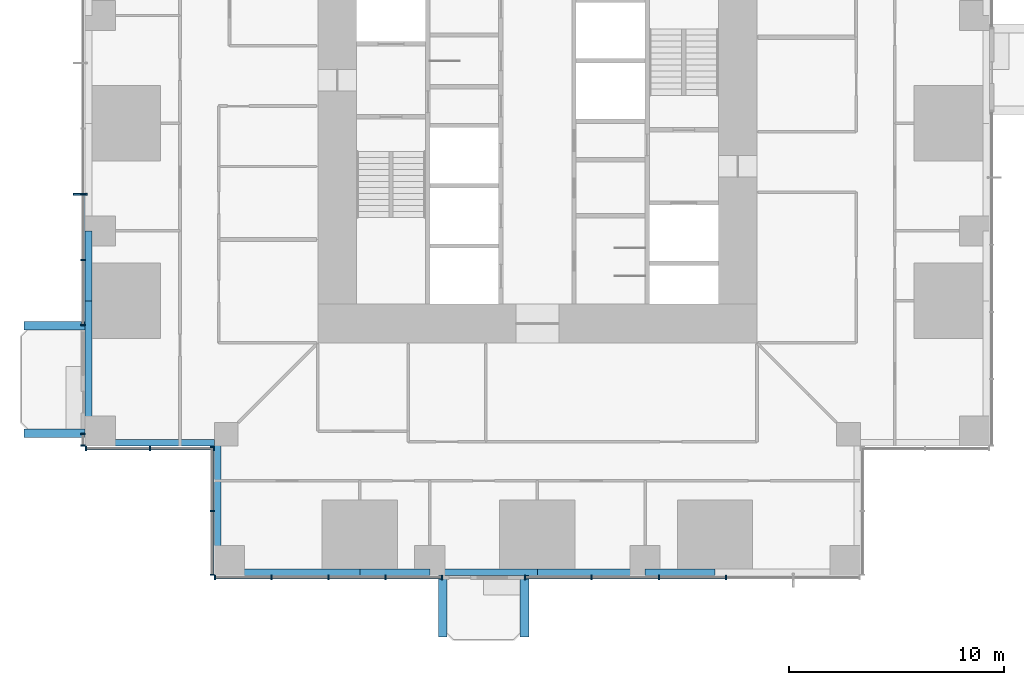
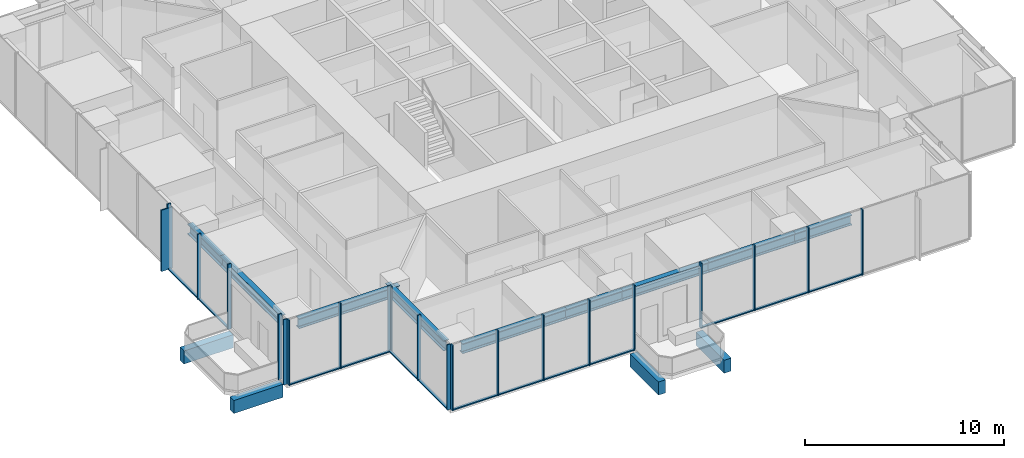
# One storey, part 2 of 18: 34 members, 13 beams, 6 elements without a shape of their own.
"""IFC4 building model written with IfcOpenShell, lengths in metres."""

from ifc_helpers import new_model, si_unit, direction, frame, origin, origin_2d, place, context, subcontext, project, spatial, rectangle, i_section, extrude, material, material_profile, profile_set, type_object, element, aggregate, save


model = new_model("IFC4")

# Units and contexts
model_context = context("Model", 3, precision=1e-05, world=origin(), true_north=direction((0.0, 1.0)))
body_context = subcontext(model_context, "Body", "Model", "MODEL_VIEW")
ifc_project = project(units=[si_unit("LENGTHUNIT", "METRE"), si_unit("AREAUNIT", "SQUARE_METRE"), si_unit("VOLUMEUNIT", "CUBIC_METRE"), si_unit("PLANEANGLEUNIT", "RADIAN"), si_unit("MASSUNIT", "GRAM", prefix="KILO")], contexts=[model_context])

# Site, building, storey
site_placement = place(None, origin())
site = spatial("IfcSite", under=ifc_project, at=site_placement, CompositionType="ELEMENT")
building_placement = place(site_placement, origin())
building = spatial("IfcBuilding", under=site, at=building_placement, Name="Svetlomir Tower", CompositionType="ELEMENT")
storey_placement = place(building_placement, frame((0.0, 0.0, 78.5)))
storey = spatial("IfcBuildingStorey", under=building, at=storey_placement, Name="L18", CompositionType="ELEMENT", Elevation=78.5)

# Beams
ifc_material_1 = material(Name="Concrete C60/75", Category="concrete")
ifc_material_profile_1 = material_profile(ifc_material_1, rectangle(XDim=0.39990234375, YDim=0.800048828125, at=origin_2d()), Name="RC 400x800")
ifc_profile_set_1 = profile_set([ifc_material_profile_1], Name="Concrete C60/75")
beam_type_1 = type_object("IfcBeamType", Name="BALCONY RIB RC 400x800", PredefinedType="BEAM", material=ifc_profile_set_1)
for number, where, z_axis, x_axis, name in (
    (1, (16.60009765625, 0.0, -0.64990234375), (0.0, -1.0, 0.0), (1.0, 0.0, 0.0), "Balcony rib S 1 L18"),
    (2, (20.39990234375, 0.0, -0.64990234375), (0.0, -1.0, 0.0), (1.0, 0.0, 0.0), "Balcony rib S 2 L18"),
    (3, (0.0, 6.60009765625, -0.64990234375), (-1.0, 0.0, 0.0), (0.0, -1.0, 0.0), "Balcony rib W 1 L18"),
    (4, (0.0, 11.60009765625, -0.64990234375), (-1.0, 0.0, 0.0), (0.0, -1.0, 0.0), "Balcony rib W 2 L18"),
):
    element("IfcBeam", number, at=place(storey_placement, frame(where, z_axis=z_axis, x_axis=x_axis)), inside=storey, type_object=beam_type_1, Name=name, PredefinedType="BEAM", context=body_context, shape_type="SweptSolid", body=[
        extrude(rectangle(XDim=0.39990234375, YDim=0.800048828125, at=origin_2d()), origin(), (0.0, 0.0, 1.0), 2.85009765625),
    ])

# Curtain wall, member
ifc_material_2 = material(Name="Bronze anodised aluminium curtain wall", Category="aluminium")
curtain_wall_type = type_object("IfcCurtainWallType", Name="CURTAIN WALL CW1 TOWER OFFICE", PredefinedType="NOTDEFINED", material=ifc_material_2)
curtain_wall_1_placement = place(storey_placement, origin())
curtain_wall_1 = element("IfcCurtainWall", 5, at=curtain_wall_1_placement, inside=storey, type_object=curtain_wall_type, Name="Curtain wall CW1 L18", PredefinedType="NOTDEFINED")
ifc_material_3 = material(Name="Bronze anodised aluminium", Category="aluminium")
ifc_material_profile_2 = material_profile(ifc_material_3, rectangle(XDim=0.080078125, YDim=0.64990234375, at=origin_2d()), Name="FIN 80x650")
ifc_profile_set_2 = profile_set([ifc_material_profile_2], Name="Bronze anodised aluminium 6063-T6")
member_type_1 = type_object("IfcMemberType", Name="BRONZE FIN 80x650", PredefinedType="USERDEFINED", material=ifc_profile_set_2)
member_1_placement = place(storey_placement, frame((-0.22509765625, 17.699951171875, 0.0), z_axis=(0.0, 0.0, 1.0), x_axis=(0.0, 1.0, 0.0)))
member_1 = element("IfcMember", 6, at=member_1_placement, type_object=member_type_1, Name="Bronze fin L18", ObjectType="FIN", PredefinedType="USERDEFINED", context=body_context, shape_type="SweptSolid", body=[
    extrude(rectangle(XDim=0.080078125, YDim=0.64990234375, at=origin_2d()), origin(), (0.0, 0.0, 1.0), 3.75),
])

# Curtain wall, members
curtain_wall_2_placement = place(storey_placement, origin())
curtain_wall_2 = element("IfcCurtainWall", 7, at=curtain_wall_2_placement, inside=storey, type_object=curtain_wall_type, Name="Curtain wall CW1 L18", PredefinedType="NOTDEFINED")
ifc_material_4 = material(Name="Bronze anodised aluminium", Category="aluminium")
ifc_material_profile_3 = material_profile(ifc_material_4, rectangle(XDim=0.06494140625, YDim=0.199951171875, at=origin_2d()), Name="AL 65x200")
ifc_profile_set_3 = profile_set([ifc_material_profile_3], Name="Bronze anodised aluminium 6063-T6")
member_type_2 = type_object("IfcMemberType", Name="CW1 MULLION 65x200", PredefinedType="MULLION", material=ifc_profile_set_3)
member_2_placement = place(storey_placement, frame((6.032470703125, -0.10009765625, 0.0), z_axis=(0.0, 0.0, 1.0), x_axis=(1.0, 0.0, 0.0)))
member_2 = element("IfcMember", 8, at=member_2_placement, type_object=member_type_2, Name="CW1 mullion 1", PredefinedType="MULLION", context=body_context, shape_type="SweptSolid", body=[
    extrude(rectangle(XDim=0.06494140625, YDim=0.199951171875, at=origin_2d()), origin(), (0.0, 0.0, 1.0), 4.0),
])
member_3_placement = place(storey_placement, frame((8.64990234375, -0.10009765625, 0.0), z_axis=(0.0, 0.0, 1.0), x_axis=(1.0, 0.0, 0.0)))
member_3 = element("IfcMember", 9, at=member_3_placement, type_object=member_type_2, Name="CW1 mullion 2", PredefinedType="MULLION", context=body_context, shape_type="SweptSolid", body=[
    extrude(rectangle(XDim=0.06494140625, YDim=0.199951171875, at=origin_2d()), origin(), (0.0, 0.0, 1.0), 4.0),
])
member_4_placement = place(storey_placement, frame((11.300048828125, -0.10009765625, 0.0), z_axis=(0.0, 0.0, 1.0), x_axis=(1.0, 0.0, 0.0)))
member_4 = element("IfcMember", 10, at=member_4_placement, type_object=member_type_2, Name="CW1 mullion 3", PredefinedType="MULLION", context=body_context, shape_type="SweptSolid", body=[
    extrude(rectangle(XDim=0.06494140625, YDim=0.199951171875, at=origin_2d()), origin(), (0.0, 0.0, 1.0), 4.0),
])
member_5_placement = place(storey_placement, frame((13.949951171875, -0.10009765625, 0.0), z_axis=(0.0, 0.0, 1.0), x_axis=(1.0, 0.0, 0.0)))
member_5 = element("IfcMember", 11, at=member_5_placement, type_object=member_type_2, Name="CW1 mullion 4", PredefinedType="MULLION", context=body_context, shape_type="SweptSolid", body=[
    extrude(rectangle(XDim=0.06494140625, YDim=0.199951171875, at=origin_2d()), origin(), (0.0, 0.0, 1.0), 4.0),
])
member_6_placement = place(storey_placement, frame((16.5673828125, -0.10009765625, 0.0), z_axis=(0.0, 0.0, 1.0), x_axis=(1.0, 0.0, 0.0)))
member_6 = element("IfcMember", 12, at=member_6_placement, type_object=member_type_2, Name="CW1 mullion 5", PredefinedType="MULLION", context=body_context, shape_type="SweptSolid", body=[
    extrude(rectangle(XDim=0.06494140625, YDim=0.199951171875, at=origin_2d()), origin(), (0.0, 0.0, 1.0), 4.0),
])

curtain_wall_3_placement = place(storey_placement, origin())
curtain_wall_3 = element("IfcCurtainWall", 13, at=curtain_wall_3_placement, inside=storey, type_object=curtain_wall_type, Name="Curtain wall CW1 L18", PredefinedType="NOTDEFINED")
member_7_placement = place(storey_placement, frame((20.4326171875, -0.10009765625, 0.0), z_axis=(0.0, 0.0, 1.0), x_axis=(1.0, 0.0, 0.0)))
member_7 = element("IfcMember", 14, at=member_7_placement, type_object=member_type_2, Name="CW1 mullion 1", PredefinedType="MULLION", context=body_context, shape_type="SweptSolid", body=[
    extrude(rectangle(XDim=0.06494140625, YDim=0.199951171875, at=origin_2d()), origin(), (0.0, 0.0, 1.0), 4.0),
])
member_8_placement = place(storey_placement, frame((23.52001953125, -0.10009765625, 0.0), z_axis=(0.0, 0.0, 1.0), x_axis=(1.0, 0.0, 0.0)))
member_8 = element("IfcMember", 15, at=member_8_placement, type_object=member_type_2, Name="CW1 mullion 2", PredefinedType="MULLION", context=body_context, shape_type="SweptSolid", body=[
    extrude(rectangle(XDim=0.06494140625, YDim=0.199951171875, at=origin_2d()), origin(), (0.0, 0.0, 1.0), 4.0),
])
member_9_placement = place(storey_placement, frame((26.639892578125, -0.10009765625, 0.0), z_axis=(0.0, 0.0, 1.0), x_axis=(1.0, 0.0, 0.0)))
member_9 = element("IfcMember", 16, at=member_9_placement, type_object=member_type_2, Name="CW1 mullion 3", PredefinedType="MULLION", context=body_context, shape_type="SweptSolid", body=[
    extrude(rectangle(XDim=0.06494140625, YDim=0.199951171875, at=origin_2d()), origin(), (0.0, 0.0, 1.0), 4.0),
])
member_10_placement = place(storey_placement, frame((29.760009765625, -0.10009765625, 0.0), z_axis=(0.0, 0.0, 1.0), x_axis=(1.0, 0.0, 0.0)))
member_10 = element("IfcMember", 17, at=member_10_placement, type_object=member_type_2, Name="CW1 mullion 4", PredefinedType="MULLION", context=body_context, shape_type="SweptSolid", body=[
    extrude(rectangle(XDim=0.06494140625, YDim=0.199951171875, at=origin_2d()), origin(), (0.0, 0.0, 1.0), 4.0),
])

# Member
member_11_placement = place(storey_placement, frame((-0.10009765625, 17.699951171875, 0.0), z_axis=(0.0, 0.0, 1.0), x_axis=(0.0, -1.0, 0.0)))
member_11 = element("IfcMember", 18, at=member_11_placement, type_object=member_type_2, Name="CW1 mullion 7", PredefinedType="MULLION", context=body_context, shape_type="SweptSolid", body=[
    extrude(rectangle(XDim=0.06494140625, YDim=0.199951171875, at=origin_2d()), origin(), (0.0, 0.0, 1.0), 4.0),
])

member_12_placement = place(storey_placement, frame((-0.10009765625, 14.64990234375, 0.0), z_axis=(0.0, 0.0, 1.0), x_axis=(0.0, -1.0, 0.0)))
member_12 = element("IfcMember", 19, at=member_12_placement, type_object=member_type_2, Name="CW1 mullion 8", PredefinedType="MULLION", context=body_context, shape_type="SweptSolid", body=[
    extrude(rectangle(XDim=0.06494140625, YDim=0.199951171875, at=origin_2d()), origin(), (0.0, 0.0, 1.0), 4.0),
])

member_13_placement = place(storey_placement, frame((-0.10009765625, 11.632568359375, 0.0), z_axis=(0.0, 0.0, 1.0), x_axis=(0.0, -1.0, 0.0)))
member_13 = element("IfcMember", 20, at=member_13_placement, type_object=member_type_2, Name="CW1 mullion 9", PredefinedType="MULLION", context=body_context, shape_type="SweptSolid", body=[
    extrude(rectangle(XDim=0.06494140625, YDim=0.199951171875, at=origin_2d()), origin(), (0.0, 0.0, 1.0), 4.0),
])

# Curtain wall, members
curtain_wall_4_placement = place(storey_placement, origin())
curtain_wall_4 = element("IfcCurtainWall", 21, at=curtain_wall_4_placement, inside=storey, type_object=curtain_wall_type, Name="Curtain wall CW1 L18", PredefinedType="NOTDEFINED")
member_14_placement = place(storey_placement, frame((-0.10009765625, 6.5673828125, 0.0), z_axis=(0.0, 0.0, 1.0), x_axis=(0.0, -1.0, 0.0)))
member_14 = element("IfcMember", 22, at=member_14_placement, type_object=member_type_2, Name="CW1 mullion 1", PredefinedType="MULLION", context=body_context, shape_type="SweptSolid", body=[
    extrude(rectangle(XDim=0.06494140625, YDim=0.199951171875, at=origin_2d()), origin(), (0.0, 0.0, 1.0), 4.0),
])
member_15_placement = place(storey_placement, frame((-0.10009765625, 6.032470703125, 0.0), z_axis=(0.0, 0.0, 1.0), x_axis=(0.0, -1.0, 0.0)))
member_15 = element("IfcMember", 23, at=member_15_placement, type_object=member_type_2, Name="CW1 mullion 2", PredefinedType="MULLION", context=body_context, shape_type="SweptSolid", body=[
    extrude(rectangle(XDim=0.06494140625, YDim=0.199951171875, at=origin_2d()), origin(), (0.0, 0.0, 1.0), 4.0),
])
aggregate(curtain_wall_4, [member_14, member_15])

curtain_wall_5_placement = place(storey_placement, origin())
curtain_wall_5 = element("IfcCurtainWall", 24, at=curtain_wall_5_placement, inside=storey, type_object=curtain_wall_type, Name="Curtain wall CW1 L18", PredefinedType="NOTDEFINED")
member_16_placement = place(storey_placement, frame((0.032470703125, 5.89990234375, 0.0), z_axis=(0.0, 0.0, 1.0), x_axis=(1.0, 0.0, 0.0)))
member_16 = element("IfcMember", 25, at=member_16_placement, type_object=member_type_2, Name="CW1 mullion 1", PredefinedType="MULLION", context=body_context, shape_type="SweptSolid", body=[
    extrude(rectangle(XDim=0.06494140625, YDim=0.199951171875, at=origin_2d()), origin(), (0.0, 0.0, 1.0), 4.0),
])
member_17_placement = place(storey_placement, frame((3.0, 5.89990234375, 0.0), z_axis=(0.0, 0.0, 1.0), x_axis=(1.0, 0.0, 0.0)))
member_17 = element("IfcMember", 26, at=member_17_placement, type_object=member_type_2, Name="CW1 mullion 2", PredefinedType="MULLION", context=body_context, shape_type="SweptSolid", body=[
    extrude(rectangle(XDim=0.06494140625, YDim=0.199951171875, at=origin_2d()), origin(), (0.0, 0.0, 1.0), 4.0),
])
member_18_placement = place(storey_placement, frame((5.967529296875, 5.89990234375, 0.0), z_axis=(0.0, 0.0, 1.0), x_axis=(1.0, 0.0, 0.0)))
member_18 = element("IfcMember", 27, at=member_18_placement, type_object=member_type_2, Name="CW1 mullion 3", PredefinedType="MULLION", context=body_context, shape_type="SweptSolid", body=[
    extrude(rectangle(XDim=0.06494140625, YDim=0.199951171875, at=origin_2d()), origin(), (0.0, 0.0, 1.0), 4.0),
])

curtain_wall_6_placement = place(storey_placement, origin())
curtain_wall_6 = element("IfcCurtainWall", 28, at=curtain_wall_6_placement, inside=storey, type_object=curtain_wall_type, Name="Curtain wall CW1 L18", PredefinedType="NOTDEFINED")
member_19_placement = place(storey_placement, frame((5.89990234375, 5.967529296875, 0.0), z_axis=(0.0, 0.0, 1.0), x_axis=(0.0, -1.0, 0.0)))
member_19 = element("IfcMember", 29, at=member_19_placement, type_object=member_type_2, Name="CW1 mullion 1", PredefinedType="MULLION", context=body_context, shape_type="SweptSolid", body=[
    extrude(rectangle(XDim=0.06494140625, YDim=0.199951171875, at=origin_2d()), origin(), (0.0, 0.0, 1.0), 4.0),
])
member_20_placement = place(storey_placement, frame((5.89990234375, 3.0, 0.0), z_axis=(0.0, 0.0, 1.0), x_axis=(0.0, -1.0, 0.0)))
member_20 = element("IfcMember", 30, at=member_20_placement, type_object=member_type_2, Name="CW1 mullion 2", PredefinedType="MULLION", context=body_context, shape_type="SweptSolid", body=[
    extrude(rectangle(XDim=0.06494140625, YDim=0.199951171875, at=origin_2d()), origin(), (0.0, 0.0, 1.0), 4.0),
])
member_21_placement = place(storey_placement, frame((5.89990234375, 0.032470703125, 0.0), z_axis=(0.0, 0.0, 1.0), x_axis=(0.0, -1.0, 0.0)))
member_21 = element("IfcMember", 31, at=member_21_placement, type_object=member_type_2, Name="CW1 mullion 3", PredefinedType="MULLION", context=body_context, shape_type="SweptSolid", body=[
    extrude(rectangle(XDim=0.06494140625, YDim=0.199951171875, at=origin_2d()), origin(), (0.0, 0.0, 1.0), 4.0),
])

# Member
ifc_material_5 = material(Name="Bronze anodised aluminium", Category="aluminium")
ifc_material_profile_4 = material_profile(ifc_material_5, rectangle(XDim=0.139892578125, YDim=0.06494140625, at=origin_2d()), Name="AL 140x65")
ifc_profile_set_4 = profile_set([ifc_material_profile_4], Name="Bronze anodised aluminium 6063-T6")
member_type_3 = type_object("IfcMemberType", Name="CW1 TRANSOM 65x140", PredefinedType="USERDEFINED", material=ifc_profile_set_4)
member_22_placement = place(storey_placement, frame((6.06494140625, -0.10009765625, 0.032470703125), z_axis=(1.0, 0.0, 0.0), x_axis=(0.0, 1.0, 0.0)))
member_22 = element("IfcMember", 32, at=member_22_placement, type_object=member_type_3, Name="CW1 transom 1.1", ObjectType="TRANSOM", PredefinedType="USERDEFINED", context=body_context, shape_type="SweptSolid", body=[
    extrude(rectangle(XDim=0.139892578125, YDim=0.06494140625, at=origin_2d()), origin(), (0.0, 0.0, 1.0), 2.552490234375),
])

member_23_placement = place(storey_placement, frame((8.6826171875, -0.10009765625, 0.032470703125), z_axis=(1.0, 0.0, 0.0), x_axis=(0.0, 1.0, 0.0)))
member_23 = element("IfcMember", 33, at=member_23_placement, type_object=member_type_3, Name="CW1 transom 2.1", ObjectType="TRANSOM", PredefinedType="USERDEFINED", context=body_context, shape_type="SweptSolid", body=[
    extrude(rectangle(XDim=0.139892578125, YDim=0.06494140625, at=origin_2d()), origin(), (0.0, 0.0, 1.0), 2.5849609375),
])

member_24_placement = place(storey_placement, frame((11.33251953125, -0.10009765625, 0.032470703125), z_axis=(1.0, 0.0, 0.0), x_axis=(0.0, 1.0, 0.0)))
member_24 = element("IfcMember", 34, at=member_24_placement, type_object=member_type_3, Name="CW1 transom 3.1", ObjectType="TRANSOM", PredefinedType="USERDEFINED", context=body_context, shape_type="SweptSolid", body=[
    extrude(rectangle(XDim=0.139892578125, YDim=0.06494140625, at=origin_2d()), origin(), (0.0, 0.0, 1.0), 2.5849609375),
])

member_25_placement = place(storey_placement, frame((13.982421875, -0.10009765625, 0.032470703125), z_axis=(1.0, 0.0, 0.0), x_axis=(0.0, 1.0, 0.0)))
member_25 = element("IfcMember", 35, at=member_25_placement, type_object=member_type_3, Name="CW1 transom 4.1", ObjectType="TRANSOM", PredefinedType="USERDEFINED", context=body_context, shape_type="SweptSolid", body=[
    extrude(rectangle(XDim=0.139892578125, YDim=0.06494140625, at=origin_2d()), origin(), (0.0, 0.0, 1.0), 2.552490234375),
])

aggregate(curtain_wall_2, [member_2, member_3, member_4, member_5, member_6, member_22, member_23, member_24, member_25])

member_26_placement = place(storey_placement, frame((20.465087890625, -0.10009765625, 0.032470703125), z_axis=(1.0, 0.0, 0.0), x_axis=(0.0, 1.0, 0.0)))
member_26 = element("IfcMember", 36, at=member_26_placement, type_object=member_type_3, Name="CW1 transom 1.1", ObjectType="TRANSOM", PredefinedType="USERDEFINED", context=body_context, shape_type="SweptSolid", body=[
    extrude(rectangle(XDim=0.139892578125, YDim=0.06494140625, at=origin_2d()), origin(), (0.0, 0.0, 1.0), 3.0224609375),
])

member_27_placement = place(storey_placement, frame((23.552490234375, -0.10009765625, 0.032470703125), z_axis=(1.0, 0.0, 0.0), x_axis=(0.0, 1.0, 0.0)))
member_27 = element("IfcMember", 37, at=member_27_placement, type_object=member_type_3, Name="CW1 transom 2.1", ObjectType="TRANSOM", PredefinedType="USERDEFINED", context=body_context, shape_type="SweptSolid", body=[
    extrude(rectangle(XDim=0.139892578125, YDim=0.06494140625, at=origin_2d()), origin(), (0.0, 0.0, 1.0), 3.054931640625),
])

member_28_placement = place(storey_placement, frame((26.672607421875, -0.10009765625, 0.032470703125), z_axis=(1.0, 0.0, 0.0), x_axis=(0.0, 1.0, 0.0)))
member_28 = element("IfcMember", 38, at=member_28_placement, type_object=member_type_3, Name="CW1 transom 3.1", ObjectType="TRANSOM", PredefinedType="USERDEFINED", context=body_context, shape_type="SweptSolid", body=[
    extrude(rectangle(XDim=0.139892578125, YDim=0.06494140625, at=origin_2d()), origin(), (0.0, 0.0, 1.0), 3.054931640625),
])

aggregate(curtain_wall_3, [member_7, member_8, member_9, member_10, member_26, member_27, member_28])

member_29_placement = place(storey_placement, frame((-0.10009765625, 17.66748046875, 0.032470703125), z_axis=(0.0, -1.0, 0.0), x_axis=(1.0, 0.0, 0.0)))
member_29 = element("IfcMember", 39, at=member_29_placement, type_object=member_type_3, Name="CW1 transom 7.1", ObjectType="TRANSOM", PredefinedType="USERDEFINED", context=body_context, shape_type="SweptSolid", body=[
    extrude(rectangle(XDim=0.139892578125, YDim=0.06494140625, at=origin_2d()), origin(), (0.0, 0.0, 1.0), 2.98486328125),
])

member_30_placement = place(storey_placement, frame((-0.10009765625, 14.617431640625, 0.032470703125), z_axis=(0.0, -1.0, 0.0), x_axis=(1.0, 0.0, 0.0)))
member_30 = element("IfcMember", 40, at=member_30_placement, type_object=member_type_3, Name="CW1 transom 8.1", ObjectType="TRANSOM", PredefinedType="USERDEFINED", context=body_context, shape_type="SweptSolid", body=[
    extrude(rectangle(XDim=0.139892578125, YDim=0.06494140625, at=origin_2d()), origin(), (0.0, 0.0, 1.0), 2.952392578125),
])

aggregate(curtain_wall_1, [member_11, member_12, member_13, member_29, member_30, member_1])

member_31_placement = place(storey_placement, frame((0.06494140625, 5.89990234375, 0.032470703125), z_axis=(1.0, 0.0, 0.0), x_axis=(0.0, 1.0, 0.0)))
member_31 = element("IfcMember", 41, at=member_31_placement, type_object=member_type_3, Name="CW1 transom 1.1", ObjectType="TRANSOM", PredefinedType="USERDEFINED", context=body_context, shape_type="SweptSolid", body=[
    extrude(rectangle(XDim=0.139892578125, YDim=0.06494140625, at=origin_2d()), origin(), (0.0, 0.0, 1.0), 2.902587890625),
])

member_32_placement = place(storey_placement, frame((3.032470703125, 5.89990234375, 0.032470703125), z_axis=(1.0, 0.0, 0.0), x_axis=(0.0, 1.0, 0.0)))
member_32 = element("IfcMember", 42, at=member_32_placement, type_object=member_type_3, Name="CW1 transom 2.1", ObjectType="TRANSOM", PredefinedType="USERDEFINED", context=body_context, shape_type="SweptSolid", body=[
    extrude(rectangle(XDim=0.139892578125, YDim=0.06494140625, at=origin_2d()), origin(), (0.0, 0.0, 1.0), 2.902587890625),
])

aggregate(curtain_wall_5, [member_16, member_17, member_18, member_31, member_32])

member_33_placement = place(storey_placement, frame((5.89990234375, 5.93505859375, 0.032470703125), z_axis=(0.0, -1.0, 0.0), x_axis=(1.0, 0.0, 0.0)))
member_33 = element("IfcMember", 43, at=member_33_placement, type_object=member_type_3, Name="CW1 transom 1.1", ObjectType="TRANSOM", PredefinedType="USERDEFINED", context=body_context, shape_type="SweptSolid", body=[
    extrude(rectangle(XDim=0.139892578125, YDim=0.06494140625, at=origin_2d()), origin(), (0.0, 0.0, 1.0), 2.902587890625),
])

member_34_placement = place(storey_placement, frame((5.89990234375, 2.967529296875, 0.032470703125), z_axis=(0.0, -1.0, 0.0), x_axis=(1.0, 0.0, 0.0)))
member_34 = element("IfcMember", 44, at=member_34_placement, type_object=member_type_3, Name="CW1 transom 2.1", ObjectType="TRANSOM", PredefinedType="USERDEFINED", context=body_context, shape_type="SweptSolid", body=[
    extrude(rectangle(XDim=0.139892578125, YDim=0.06494140625, at=origin_2d()), origin(), (0.0, 0.0, 1.0), 2.902587890625),
])

aggregate(curtain_wall_6, [member_19, member_20, member_21, member_33, member_34])

# Beams
ifc_material_6 = material(Name="Steel S355", Category="steel")
ifc_material_profile_5 = material_profile(ifc_material_6, i_section(OverallWidth=0.304931640625, OverallDepth=0.6201171875, WebThickness=0.02099609375, FlangeThickness=0.0400390625, FilletRadius=0.027099609375, at=origin_2d()), Name="HEM 600")
ifc_profile_set_5 = profile_set([ifc_material_profile_5], Name="Steel S355")
beam_type_2 = type_object("IfcBeamType", Name="EDGE BEAM HEM 600", PredefinedType="SPANDREL", material=ifc_profile_set_5)
for number, where, z_axis, x_axis, name in (
    (45, (6.699951171875, 0.152587890625, 3.43994140625), (1.0, 0.0, 0.0), (0.0, 1.0, 0.0), "Edge beam 6/0 to 11/0 under L19"),
    (46, (0.152587890625, 6.699951171875, 3.43994140625), (0.0, 1.0, 0.0), (-1.0, 0.0, 0.0), "Edge beam 0/6 to 0/11 under L19"),
):
    element("IfcBeam", number, at=place(storey_placement, frame(where, z_axis=z_axis, x_axis=x_axis)), inside=storey, type_object=beam_type_2, Name=name, PredefinedType="SPANDREL", context=body_context, shape_type="SweptSolid", body=[
        extrude(i_section(OverallWidth=0.304931640625, OverallDepth=0.6201171875, WebThickness=0.02099609375, FlangeThickness=0.0400390625, FilletRadius=0.027099609375, at=origin_2d()), origin(), (0.0, 0.0, 1.0), 6.050048828125),
    ])
for number, where, z_axis, x_axis, name in (
    (47, (12.75, 0.152587890625, 3.43994140625), (1.0, 0.0, 0.0), (0.0, 1.0, 0.0), "Edge beam 11/0 to 16/0 under L19"),
    (48, (0.152587890625, 12.75, 3.43994140625), (0.0, 1.0, 0.0), (-1.0, 0.0, 0.0), "Edge beam 0/11 to 0/16 under L19"),
):
    element("IfcBeam", number, at=place(storey_placement, frame(where, z_axis=z_axis, x_axis=x_axis)), inside=storey, type_object=beam_type_2, Name=name, PredefinedType="SPANDREL", context=body_context, shape_type="SweptSolid", body=[
        extrude(i_section(OverallWidth=0.304931640625, OverallDepth=0.6201171875, WebThickness=0.02099609375, FlangeThickness=0.0400390625, FilletRadius=0.027099609375, at=origin_2d()), origin(), (0.0, 0.0, 1.0), 3.25),
    ])
for number, where, z_axis, x_axis, name in (
    (49, (16.0, 0.152587890625, 3.43994140625), (1.0, 0.0, 0.0), (0.0, 1.0, 0.0), "Edge beam 16/0 to 21/0 under L19"),
    (50, (21.0, 0.152587890625, 3.43994140625), (1.0, 0.0, 0.0), (0.0, 1.0, 0.0), "Edge beam 21/0 to 26/0 under L19"),
):
    element("IfcBeam", number, at=place(storey_placement, frame(where, z_axis=z_axis, x_axis=x_axis)), inside=storey, type_object=beam_type_2, Name=name, PredefinedType="SPANDREL", context=body_context, shape_type="SweptSolid", body=[
        extrude(i_section(OverallWidth=0.304931640625, OverallDepth=0.6201171875, WebThickness=0.02099609375, FlangeThickness=0.0400390625, FilletRadius=0.027099609375, at=origin_2d()), origin(), (0.0, 0.0, 1.0), 5.0),
    ])
beam_placement = place(storey_placement, frame((26.0, 0.152587890625, 3.43994140625), z_axis=(1.0, 0.0, 0.0), x_axis=(0.0, 1.0, 0.0)))
element("IfcBeam", 51, at=beam_placement, inside=storey, type_object=beam_type_2, Name="Edge beam 26/0 to 31/0 under L19", PredefinedType="SPANDREL", context=body_context, shape_type="SweptSolid", body=[
    extrude(i_section(OverallWidth=0.304931640625, OverallDepth=0.6201171875, WebThickness=0.02099609375, FlangeThickness=0.0400390625, FilletRadius=0.027099609375, at=origin_2d()), origin(), (0.0, 0.0, 1.0), 3.25),
])
for number, where, z_axis, x_axis, name in (
    (52, (6.152587890625, 0.699951171875, 3.43994140625), (0.0, 1.0, 0.0), (-1.0, 0.0, 0.0), "Edge beam 6/0 to 6/6 under L19"),
    (53, (0.699951171875, 6.152587890625, 3.43994140625), (1.0, 0.0, 0.0), (0.0, 1.0, 0.0), "Edge beam 0/6 to 6/6 under L19"),
):
    element("IfcBeam", number, at=place(storey_placement, frame(where, z_axis=z_axis, x_axis=x_axis)), inside=storey, type_object=beam_type_2, Name=name, PredefinedType="SPANDREL", context=body_context, shape_type="SweptSolid", body=[
        extrude(i_section(OverallWidth=0.304931640625, OverallDepth=0.6201171875, WebThickness=0.02099609375, FlangeThickness=0.0400390625, FilletRadius=0.027099609375, at=origin_2d()), origin(), (0.0, 0.0, 1.0), 5.85009765625),
    ])

save(model, "model.ifc")
